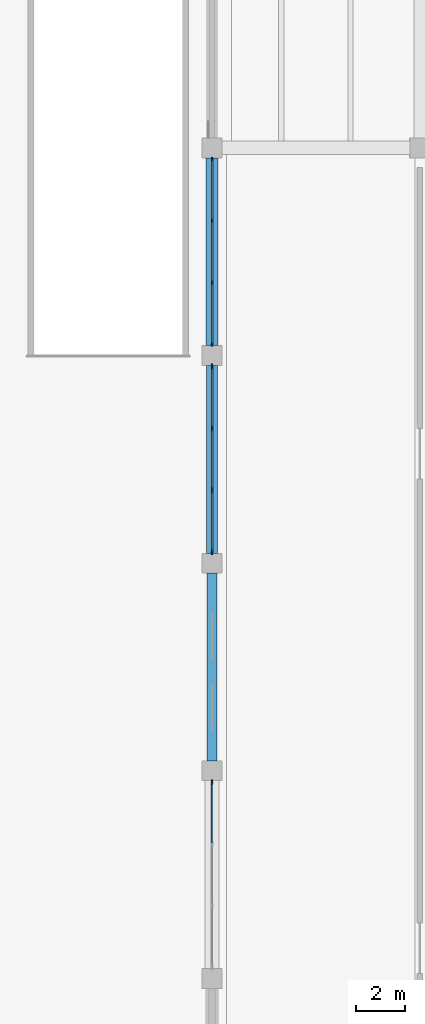
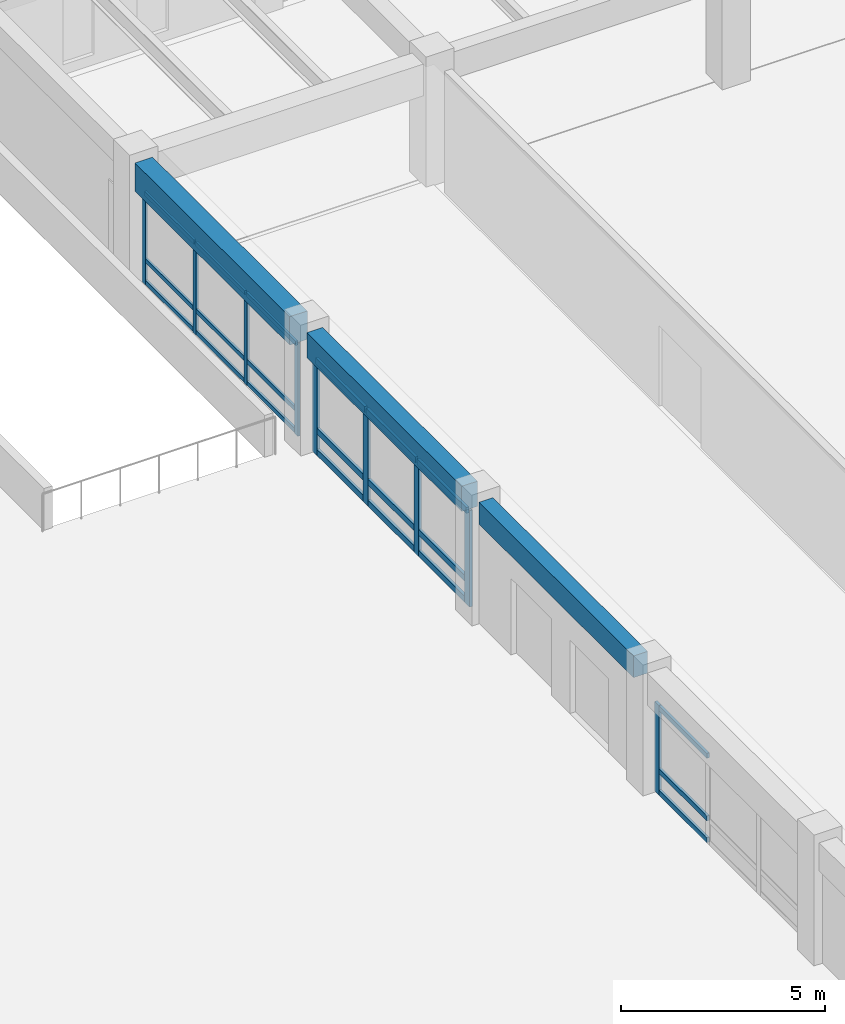
# One storey, part 54 of 135: 30 members, 3 beams, 3 elements without a shape of their own.
"""IFC4 building model written with IfcOpenShell, lengths in metres."""

from ifc_helpers import new_model, si_unit, direction, frame, origin, origin_2d, place, context, subcontext, project, spatial, rectangle, extrude, material, material_profile, profile_set, type_object, element, aggregate, save


model = new_model("IFC4")

# Units and contexts
model_context = context("Model", 3, precision=1e-05, world=origin(), true_north=direction((0.0, 1.0)))
body_context = subcontext(model_context, "Body", "Model", "MODEL_VIEW")
ifc_project = project(units=[si_unit("LENGTHUNIT", "METRE"), si_unit("AREAUNIT", "SQUARE_METRE"), si_unit("VOLUMEUNIT", "CUBIC_METRE"), si_unit("PLANEANGLEUNIT", "RADIAN"), si_unit("MASSUNIT", "GRAM", prefix="KILO")], contexts=[model_context])

# Site, building, storey
site_placement = place(None, origin())
site = spatial("IfcSite", under=ifc_project, at=site_placement, CompositionType="ELEMENT")
building_placement = place(site_placement, origin())
building = spatial("IfcBuilding", under=site, at=building_placement, Name="Cumbredor Promenade Congress Hotel", CompositionType="ELEMENT")
storey_placement = place(building_placement, origin())
storey = spatial("IfcBuildingStorey", under=building, at=storey_placement, Name="L00", CompositionType="ELEMENT", Elevation=0.0)

# Beams
ifc_material_1 = material(Name="Concrete C40/50", Category="concrete")
ifc_material_profile_1 = material_profile(ifc_material_1, rectangle(XDim=0.39990234375, YDim=0.64990234375, at=origin_2d()), Name="RC BEAM 400x650")
ifc_profile_set_1 = profile_set([ifc_material_profile_1], Name="Concrete C40/50")
beam_type_1 = type_object("IfcBeamType", Name="BM-RC-400x650", PredefinedType="BEAM", material=ifc_profile_set_1)
beam_1_placement = place(storey_placement, frame((142.800048828125, 34.0, 3.31494140625), z_axis=(0.0, 1.0, 0.0), x_axis=(-1.0, 0.0, 0.0)))
element("IfcBeam", 1, at=beam_1_placement, inside=storey, type_object=beam_type_1, Name="L01 Y-Grid Beam 218", PredefinedType="BEAM", context=body_context, shape_type="SweptSolid", body=[
    extrude(rectangle(XDim=0.39990234375, YDim=0.64990234375, at=origin_2d()), origin(), (0.0, 0.0, 1.0), 7.60009765625),
])
ifc_material_profile_2 = material_profile(ifc_material_1, rectangle(XDim=0.449951171875, YDim=0.75, at=origin_2d()), Name="RC BEAM 450x750")
ifc_profile_set_2 = profile_set([ifc_material_profile_2], Name="Concrete C40/50")
beam_type_2 = type_object("IfcBeamType", Name="BM-RC-450x750", PredefinedType="BEAM", material=ifc_profile_set_2)
beam_2_placement = place(storey_placement, frame((142.800048828125, 42.39990234375, 3.264892578125), z_axis=(0.0, 1.0, 0.0), x_axis=(-1.0, 0.0, 0.0)))
element("IfcBeam", 2, at=beam_2_placement, inside=storey, type_object=beam_type_2, Name="L01 Y-Grid Beam 219", PredefinedType="BEAM", context=body_context, shape_type="SweptSolid", body=[
    extrude(rectangle(XDim=0.449951171875, YDim=0.75, at=origin_2d()), origin(), (0.0, 0.0, 1.0), 7.60009765625),
])
ifc_material_profile_3 = material_profile(ifc_material_1, rectangle(XDim=0.5, YDim=0.85009765625, at=origin_2d()), Name="RC BEAM 500x850")
ifc_profile_set_3 = profile_set([ifc_material_profile_3], Name="Concrete C40/50")
beam_type_3 = type_object("IfcBeamType", Name="BM-RC-500x850", PredefinedType="BEAM", material=ifc_profile_set_3)
beam_3_placement = place(storey_placement, frame((142.800048828125, 50.800048828125, 3.215087890625), z_axis=(0.0, 1.0, 0.0), x_axis=(-1.0, 0.0, 0.0)))
element("IfcBeam", 3, at=beam_3_placement, inside=storey, type_object=beam_type_3, Name="L01 Y-Grid Beam 220", PredefinedType="BEAM", context=body_context, shape_type="SweptSolid", body=[
    extrude(rectangle(XDim=0.5, YDim=0.85009765625, at=origin_2d()), origin(), (0.0, 0.0, 1.0), 7.599853515625),
])

# Curtain wall, members
ifc_material_2 = material(Name="Thermally broken anodized aluminium and low-E glass", Category="aluminium")
curtain_wall_type = type_object("IfcCurtainWallType", Name="Unitised Grand Foyer Curtain Wall CW-04", PredefinedType="NOTDEFINED", material=ifc_material_2)
curtain_wall_1_placement = place(storey_placement, origin())
curtain_wall_1 = element("IfcCurtainWall", 4, at=curtain_wall_1_placement, inside=storey, type_object=curtain_wall_type, Name="L00 Grand Ballroom Pavilion West Curtain Wall 6", PredefinedType="NOTDEFINED")
ifc_material_3 = material(Name="Thermally broken anodized aluminium", Category="aluminium")
ifc_material_profile_4 = material_profile(ifc_material_3, rectangle(XDim=0.06494140625, YDim=0.159912109375, at=origin_2d()), Name="ALU MULLION 65x160")
ifc_profile_set_4 = profile_set([ifc_material_profile_4], Name="Thermally broken anodized aluminium")
member_type_1 = type_object("IfcMemberType", Name="Curtain Wall Mullion ML-01", PredefinedType="MULLION", material=ifc_profile_set_4)
member_1_placement = place(storey_placement, frame((142.800048828125, 50.85498046875, -0.008056640625), z_axis=(0.0, 0.0, 1.0), x_axis=(1.0, 0.0, 0.0)))
member_1 = element("IfcMember", 5, at=member_1_placement, type_object=member_type_1, Name="L00 Grand Ballroom Pavilion West Curtain Wall 6 Mullion 1", PredefinedType="MULLION", context=body_context, shape_type="SweptSolid", body=[
    extrude(rectangle(XDim=0.06494140625, YDim=0.159912109375, at=origin_2d()), origin(), (0.0, 0.0, 1.0), 2.791015625),
])
member_2_placement = place(storey_placement, frame((142.800048828125, 53.351806640625, -0.008056640625), z_axis=(0.0, 0.0, 1.0), x_axis=(1.0, 0.0, 0.0)))
member_2 = element("IfcMember", 6, at=member_2_placement, type_object=member_type_1, Name="L00 Grand Ballroom Pavilion West Curtain Wall 6 Mullion 2", PredefinedType="MULLION", context=body_context, shape_type="SweptSolid", body=[
    extrude(rectangle(XDim=0.06494140625, YDim=0.159912109375, at=origin_2d()), origin(), (0.0, 0.0, 1.0), 2.791015625),
])
member_3_placement = place(storey_placement, frame((142.800048828125, 55.848388671875, -0.008056640625), z_axis=(0.0, 0.0, 1.0), x_axis=(1.0, 0.0, 0.0)))
member_3 = element("IfcMember", 7, at=member_3_placement, type_object=member_type_1, Name="L00 Grand Ballroom Pavilion West Curtain Wall 6 Mullion 3", PredefinedType="MULLION", context=body_context, shape_type="SweptSolid", body=[
    extrude(rectangle(XDim=0.06494140625, YDim=0.159912109375, at=origin_2d()), origin(), (0.0, 0.0, 1.0), 2.791015625),
])
member_4_placement = place(storey_placement, frame((142.800048828125, 58.344970703125, -0.008056640625), z_axis=(0.0, 0.0, 1.0), x_axis=(1.0, 0.0, 0.0)))
member_4 = element("IfcMember", 8, at=member_4_placement, type_object=member_type_1, Name="L00 Grand Ballroom Pavilion West Curtain Wall 6 Mullion 4", PredefinedType="MULLION", context=body_context, shape_type="SweptSolid", body=[
    extrude(rectangle(XDim=0.06494140625, YDim=0.159912109375, at=origin_2d()), origin(), (0.0, 0.0, 1.0), 2.791015625),
])

# Curtain wall, member
curtain_wall_2_placement = place(storey_placement, origin())
curtain_wall_2 = element("IfcCurtainWall", 9, at=curtain_wall_2_placement, inside=storey, type_object=curtain_wall_type, Name="L00 Grand Ballroom Pavilion West Curtain Wall 3", PredefinedType="NOTDEFINED")
ifc_material_profile_5 = material_profile(ifc_material_3, rectangle(XDim=0.074951171875, YDim=0.199951171875, at=origin_2d()), Name="ALU MULLION 75x200")
ifc_profile_set_5 = profile_set([ifc_material_profile_5], Name="Thermally broken anodized aluminium")
member_type_2 = type_object("IfcMemberType", Name="Curtain Wall Mullion ML-02", PredefinedType="MULLION", material=ifc_profile_set_5)
member_5_placement = place(storey_placement, frame((142.800048828125, 33.14501953125, -0.008056640625), z_axis=(0.0, 0.0, 1.0), x_axis=(1.0, 0.0, 0.0)))
member_5 = element("IfcMember", 10, at=member_5_placement, type_object=member_type_2, Name="L00 Grand Ballroom Pavilion West Curtain Wall 3 Mullion 4", PredefinedType="MULLION", context=body_context, shape_type="SweptSolid", body=[
    extrude(rectangle(XDim=0.074951171875, YDim=0.199951171875, at=origin_2d()), origin(), (0.0, 0.0, 1.0), 2.691162109375),
])

# Curtain wall, members
curtain_wall_3_placement = place(storey_placement, origin())
curtain_wall_3 = element("IfcCurtainWall", 11, at=curtain_wall_3_placement, inside=storey, type_object=curtain_wall_type, Name="L00 Grand Ballroom Pavilion West Curtain Wall 5", PredefinedType="NOTDEFINED")
ifc_material_profile_6 = material_profile(ifc_material_3, rectangle(XDim=0.080078125, YDim=0.239990234375, at=origin_2d()), Name="ALU MULLION 80x240")
ifc_profile_set_6 = profile_set([ifc_material_profile_6], Name="Thermally broken anodized aluminium")
member_type_3 = type_object("IfcMemberType", Name="Curtain Wall Mullion ML-03", PredefinedType="MULLION", material=ifc_profile_set_6)
member_6_placement = place(storey_placement, frame((142.800048828125, 42.455078125, -0.008056640625), z_axis=(0.0, 0.0, 1.0), x_axis=(1.0, 0.0, 0.0)))
member_6 = element("IfcMember", 12, at=member_6_placement, type_object=member_type_3, Name="L00 Grand Ballroom Pavilion West Curtain Wall 5 Mullion 1", PredefinedType="MULLION", context=body_context, shape_type="SweptSolid", body=[
    extrude(rectangle(XDim=0.080078125, YDim=0.239990234375, at=origin_2d()), origin(), (0.0, 0.0, 1.0), 2.89111328125),
])
member_7_placement = place(storey_placement, frame((142.800048828125, 44.95166015625, -0.008056640625), z_axis=(0.0, 0.0, 1.0), x_axis=(1.0, 0.0, 0.0)))
member_7 = element("IfcMember", 13, at=member_7_placement, type_object=member_type_3, Name="L00 Grand Ballroom Pavilion West Curtain Wall 5 Mullion 2", PredefinedType="MULLION", context=body_context, shape_type="SweptSolid", body=[
    extrude(rectangle(XDim=0.080078125, YDim=0.239990234375, at=origin_2d()), origin(), (0.0, 0.0, 1.0), 2.89111328125),
])
member_8_placement = place(storey_placement, frame((142.800048828125, 47.4482421875, -0.008056640625), z_axis=(0.0, 0.0, 1.0), x_axis=(1.0, 0.0, 0.0)))
member_8 = element("IfcMember", 14, at=member_8_placement, type_object=member_type_3, Name="L00 Grand Ballroom Pavilion West Curtain Wall 5 Mullion 3", PredefinedType="MULLION", context=body_context, shape_type="SweptSolid", body=[
    extrude(rectangle(XDim=0.080078125, YDim=0.239990234375, at=origin_2d()), origin(), (0.0, 0.0, 1.0), 2.89111328125),
])
member_9_placement = place(storey_placement, frame((142.800048828125, 49.945068359375, -0.008056640625), z_axis=(0.0, 0.0, 1.0), x_axis=(1.0, 0.0, 0.0)))
member_9 = element("IfcMember", 15, at=member_9_placement, type_object=member_type_3, Name="L00 Grand Ballroom Pavilion West Curtain Wall 5 Mullion 4", PredefinedType="MULLION", context=body_context, shape_type="SweptSolid", body=[
    extrude(rectangle(XDim=0.080078125, YDim=0.239990234375, at=origin_2d()), origin(), (0.0, 0.0, 1.0), 2.89111328125),
])

# Member
ifc_material_profile_7 = material_profile(ifc_material_3, rectangle(XDim=0.06494140625, YDim=0.1298828125, at=origin_2d()), Name="ALU TRANSOM 65x130")
ifc_profile_set_7 = profile_set([ifc_material_profile_7], Name="Thermally broken anodized aluminium")
member_type_4 = type_object("IfcMemberType", Name="Curtain Wall Transom TR-01", PredefinedType="USERDEFINED", material=ifc_profile_set_7)
member_10_placement = place(storey_placement, frame((142.800048828125, 50.887451171875, 0.070068359375), z_axis=(0.0, 1.0, 0.0), x_axis=(-1.0, 0.0, 0.0)))
member_10 = element("IfcMember", 16, at=member_10_placement, type_object=member_type_4, Name="L00 Grand Ballroom Pavilion West Curtain Wall 6 Transom 1.1", ObjectType="TRANSOM", PredefinedType="USERDEFINED", context=body_context, shape_type="SweptSolid", body=[
    extrude(rectangle(XDim=0.06494140625, YDim=0.1298828125, at=origin_2d()), origin(), (0.0, 0.0, 1.0), 2.431640625),
])

member_11_placement = place(storey_placement, frame((142.800048828125, 50.887451171875, 0.719970703125), z_axis=(0.0, 1.0, 0.0), x_axis=(-1.0, 0.0, 0.0)))
member_11 = element("IfcMember", 17, at=member_11_placement, type_object=member_type_4, Name="L00 Grand Ballroom Pavilion West Curtain Wall 6 Transom 1.2", ObjectType="TRANSOM", PredefinedType="USERDEFINED", context=body_context, shape_type="SweptSolid", body=[
    extrude(rectangle(XDim=0.06494140625, YDim=0.1298828125, at=origin_2d()), origin(), (0.0, 0.0, 1.0), 2.431640625),
])

member_12_placement = place(storey_placement, frame((142.800048828125, 50.887451171875, 2.7099609375), z_axis=(0.0, 1.0, 0.0), x_axis=(-1.0, 0.0, 0.0)))
member_12 = element("IfcMember", 18, at=member_12_placement, type_object=member_type_4, Name="L00 Grand Ballroom Pavilion West Curtain Wall 6 Transom 1.3", ObjectType="TRANSOM", PredefinedType="USERDEFINED", context=body_context, shape_type="SweptSolid", body=[
    extrude(rectangle(XDim=0.06494140625, YDim=0.1298828125, at=origin_2d()), origin(), (0.0, 0.0, 1.0), 2.431640625),
])

member_13_placement = place(storey_placement, frame((142.800048828125, 53.38427734375, 0.070068359375), z_axis=(0.0, 1.0, 0.0), x_axis=(-1.0, 0.0, 0.0)))
member_13 = element("IfcMember", 19, at=member_13_placement, type_object=member_type_4, Name="L00 Grand Ballroom Pavilion West Curtain Wall 6 Transom 2.1", ObjectType="TRANSOM", PredefinedType="USERDEFINED", context=body_context, shape_type="SweptSolid", body=[
    extrude(rectangle(XDim=0.06494140625, YDim=0.1298828125, at=origin_2d()), origin(), (0.0, 0.0, 1.0), 2.431640625),
])

member_14_placement = place(storey_placement, frame((142.800048828125, 53.38427734375, 0.719970703125), z_axis=(0.0, 1.0, 0.0), x_axis=(-1.0, 0.0, 0.0)))
member_14 = element("IfcMember", 20, at=member_14_placement, type_object=member_type_4, Name="L00 Grand Ballroom Pavilion West Curtain Wall 6 Transom 2.2", ObjectType="TRANSOM", PredefinedType="USERDEFINED", context=body_context, shape_type="SweptSolid", body=[
    extrude(rectangle(XDim=0.06494140625, YDim=0.1298828125, at=origin_2d()), origin(), (0.0, 0.0, 1.0), 2.431640625),
])

member_15_placement = place(storey_placement, frame((142.800048828125, 53.38427734375, 2.7099609375), z_axis=(0.0, 1.0, 0.0), x_axis=(-1.0, 0.0, 0.0)))
member_15 = element("IfcMember", 21, at=member_15_placement, type_object=member_type_4, Name="L00 Grand Ballroom Pavilion West Curtain Wall 6 Transom 2.3", ObjectType="TRANSOM", PredefinedType="USERDEFINED", context=body_context, shape_type="SweptSolid", body=[
    extrude(rectangle(XDim=0.06494140625, YDim=0.1298828125, at=origin_2d()), origin(), (0.0, 0.0, 1.0), 2.431640625),
])

member_16_placement = place(storey_placement, frame((142.800048828125, 55.880859375, 0.070068359375), z_axis=(0.0, 1.0, 0.0), x_axis=(-1.0, 0.0, 0.0)))
member_16 = element("IfcMember", 22, at=member_16_placement, type_object=member_type_4, Name="L00 Grand Ballroom Pavilion West Curtain Wall 6 Transom 3.1", ObjectType="TRANSOM", PredefinedType="USERDEFINED", context=body_context, shape_type="SweptSolid", body=[
    extrude(rectangle(XDim=0.06494140625, YDim=0.1298828125, at=origin_2d()), origin(), (0.0, 0.0, 1.0), 2.431640625),
])

member_17_placement = place(storey_placement, frame((142.800048828125, 55.880859375, 0.719970703125), z_axis=(0.0, 1.0, 0.0), x_axis=(-1.0, 0.0, 0.0)))
member_17 = element("IfcMember", 23, at=member_17_placement, type_object=member_type_4, Name="L00 Grand Ballroom Pavilion West Curtain Wall 6 Transom 3.2", ObjectType="TRANSOM", PredefinedType="USERDEFINED", context=body_context, shape_type="SweptSolid", body=[
    extrude(rectangle(XDim=0.06494140625, YDim=0.1298828125, at=origin_2d()), origin(), (0.0, 0.0, 1.0), 2.431640625),
])

member_18_placement = place(storey_placement, frame((142.800048828125, 55.880859375, 2.7099609375), z_axis=(0.0, 1.0, 0.0), x_axis=(-1.0, 0.0, 0.0)))
member_18 = element("IfcMember", 24, at=member_18_placement, type_object=member_type_4, Name="L00 Grand Ballroom Pavilion West Curtain Wall 6 Transom 3.3", ObjectType="TRANSOM", PredefinedType="USERDEFINED", context=body_context, shape_type="SweptSolid", body=[
    extrude(rectangle(XDim=0.06494140625, YDim=0.1298828125, at=origin_2d()), origin(), (0.0, 0.0, 1.0), 2.431640625),
])

aggregate(curtain_wall_1, [member_1, member_2, member_3, member_4, member_10, member_11, member_12, member_13, member_14, member_15, member_16, member_17, member_18])

ifc_material_profile_8 = material_profile(ifc_material_3, rectangle(XDim=0.074951171875, YDim=0.14990234375, at=origin_2d()), Name="ALU TRANSOM 75x150")
ifc_profile_set_8 = profile_set([ifc_material_profile_8], Name="Thermally broken anodized aluminium")
member_type_5 = type_object("IfcMemberType", Name="Curtain Wall Transom TR-02", PredefinedType="USERDEFINED", material=ifc_profile_set_8)
member_19_placement = place(storey_placement, frame((142.800048828125, 30.685791015625, 0.070068359375), z_axis=(0.0, 1.0, 0.0), x_axis=(-1.0, 0.0, 0.0)))
member_19 = element("IfcMember", 25, at=member_19_placement, type_object=member_type_5, Name="L00 Grand Ballroom Pavilion West Curtain Wall 3 Transom 3.1", ObjectType="TRANSOM", PredefinedType="USERDEFINED", context=body_context, shape_type="SweptSolid", body=[
    extrude(rectangle(XDim=0.074951171875, YDim=0.14990234375, at=origin_2d()), origin(), (0.0, 0.0, 1.0), 2.421630859375),
])

member_20_placement = place(storey_placement, frame((142.800048828125, 30.685791015625, 0.719970703125), z_axis=(0.0, 1.0, 0.0), x_axis=(-1.0, 0.0, 0.0)))
member_20 = element("IfcMember", 26, at=member_20_placement, type_object=member_type_5, Name="L00 Grand Ballroom Pavilion West Curtain Wall 3 Transom 3.2", ObjectType="TRANSOM", PredefinedType="USERDEFINED", context=body_context, shape_type="SweptSolid", body=[
    extrude(rectangle(XDim=0.074951171875, YDim=0.14990234375, at=origin_2d()), origin(), (0.0, 0.0, 1.0), 2.421630859375),
])

member_21_placement = place(storey_placement, frame((142.800048828125, 30.685791015625, 2.60009765625), z_axis=(0.0, 1.0, 0.0), x_axis=(-1.0, 0.0, 0.0)))
member_21 = element("IfcMember", 27, at=member_21_placement, type_object=member_type_5, Name="L00 Grand Ballroom Pavilion West Curtain Wall 3 Transom 3.3", ObjectType="TRANSOM", PredefinedType="USERDEFINED", context=body_context, shape_type="SweptSolid", body=[
    extrude(rectangle(XDim=0.074951171875, YDim=0.14990234375, at=origin_2d()), origin(), (0.0, 0.0, 1.0), 2.421630859375),
])

aggregate(curtain_wall_2, [member_5, member_19, member_20, member_21])

ifc_material_profile_9 = material_profile(ifc_material_3, rectangle(XDim=0.080078125, YDim=0.179931640625, at=origin_2d()), Name="ALU TRANSOM 80x180")
ifc_profile_set_9 = profile_set([ifc_material_profile_9], Name="Thermally broken anodized aluminium")
member_type_6 = type_object("IfcMemberType", Name="Curtain Wall Transom TR-03", PredefinedType="USERDEFINED", material=ifc_profile_set_9)
member_22_placement = place(storey_placement, frame((142.800048828125, 42.4951171875, 0.090087890625), z_axis=(0.0, 1.0, 0.0), x_axis=(-1.0, 0.0, 0.0)))
member_22 = element("IfcMember", 28, at=member_22_placement, type_object=member_type_6, Name="L00 Grand Ballroom Pavilion West Curtain Wall 5 Transom 1.1", ObjectType="TRANSOM", PredefinedType="USERDEFINED", context=body_context, shape_type="SweptSolid", body=[
    extrude(rectangle(XDim=0.080078125, YDim=0.179931640625, at=origin_2d()), origin(), (0.0, 0.0, 1.0), 2.41650390625),
])

member_23_placement = place(storey_placement, frame((142.800048828125, 42.4951171875, 0.719970703125), z_axis=(0.0, 1.0, 0.0), x_axis=(-1.0, 0.0, 0.0)))
member_23 = element("IfcMember", 29, at=member_23_placement, type_object=member_type_6, Name="L00 Grand Ballroom Pavilion West Curtain Wall 5 Transom 1.2", ObjectType="TRANSOM", PredefinedType="USERDEFINED", context=body_context, shape_type="SweptSolid", body=[
    extrude(rectangle(XDim=0.080078125, YDim=0.179931640625, at=origin_2d()), origin(), (0.0, 0.0, 1.0), 2.41650390625),
])

member_24_placement = place(storey_placement, frame((142.800048828125, 42.4951171875, 2.7900390625), z_axis=(0.0, 1.0, 0.0), x_axis=(-1.0, 0.0, 0.0)))
member_24 = element("IfcMember", 30, at=member_24_placement, type_object=member_type_6, Name="L00 Grand Ballroom Pavilion West Curtain Wall 5 Transom 1.3", ObjectType="TRANSOM", PredefinedType="USERDEFINED", context=body_context, shape_type="SweptSolid", body=[
    extrude(rectangle(XDim=0.080078125, YDim=0.179931640625, at=origin_2d()), origin(), (0.0, 0.0, 1.0), 2.41650390625),
])

member_25_placement = place(storey_placement, frame((142.800048828125, 44.99169921875, 0.090087890625), z_axis=(0.0, 1.0, 0.0), x_axis=(-1.0, 0.0, 0.0)))
member_25 = element("IfcMember", 31, at=member_25_placement, type_object=member_type_6, Name="L00 Grand Ballroom Pavilion West Curtain Wall 5 Transom 2.1", ObjectType="TRANSOM", PredefinedType="USERDEFINED", context=body_context, shape_type="SweptSolid", body=[
    extrude(rectangle(XDim=0.080078125, YDim=0.179931640625, at=origin_2d()), origin(), (0.0, 0.0, 1.0), 2.41650390625),
])

member_26_placement = place(storey_placement, frame((142.800048828125, 44.99169921875, 0.719970703125), z_axis=(0.0, 1.0, 0.0), x_axis=(-1.0, 0.0, 0.0)))
member_26 = element("IfcMember", 32, at=member_26_placement, type_object=member_type_6, Name="L00 Grand Ballroom Pavilion West Curtain Wall 5 Transom 2.2", ObjectType="TRANSOM", PredefinedType="USERDEFINED", context=body_context, shape_type="SweptSolid", body=[
    extrude(rectangle(XDim=0.080078125, YDim=0.179931640625, at=origin_2d()), origin(), (0.0, 0.0, 1.0), 2.41650390625),
])

member_27_placement = place(storey_placement, frame((142.800048828125, 44.99169921875, 2.7900390625), z_axis=(0.0, 1.0, 0.0), x_axis=(-1.0, 0.0, 0.0)))
member_27 = element("IfcMember", 33, at=member_27_placement, type_object=member_type_6, Name="L00 Grand Ballroom Pavilion West Curtain Wall 5 Transom 2.3", ObjectType="TRANSOM", PredefinedType="USERDEFINED", context=body_context, shape_type="SweptSolid", body=[
    extrude(rectangle(XDim=0.080078125, YDim=0.179931640625, at=origin_2d()), origin(), (0.0, 0.0, 1.0), 2.41650390625),
])

member_28_placement = place(storey_placement, frame((142.800048828125, 47.48828125, 0.090087890625), z_axis=(0.0, 1.0, 0.0), x_axis=(-1.0, 0.0, 0.0)))
member_28 = element("IfcMember", 34, at=member_28_placement, type_object=member_type_6, Name="L00 Grand Ballroom Pavilion West Curtain Wall 5 Transom 3.1", ObjectType="TRANSOM", PredefinedType="USERDEFINED", context=body_context, shape_type="SweptSolid", body=[
    extrude(rectangle(XDim=0.080078125, YDim=0.179931640625, at=origin_2d()), origin(), (0.0, 0.0, 1.0), 2.416748046875),
])

member_29_placement = place(storey_placement, frame((142.800048828125, 47.48828125, 0.719970703125), z_axis=(0.0, 1.0, 0.0), x_axis=(-1.0, 0.0, 0.0)))
member_29 = element("IfcMember", 35, at=member_29_placement, type_object=member_type_6, Name="L00 Grand Ballroom Pavilion West Curtain Wall 5 Transom 3.2", ObjectType="TRANSOM", PredefinedType="USERDEFINED", context=body_context, shape_type="SweptSolid", body=[
    extrude(rectangle(XDim=0.080078125, YDim=0.179931640625, at=origin_2d()), origin(), (0.0, 0.0, 1.0), 2.416748046875),
])

member_30_placement = place(storey_placement, frame((142.800048828125, 47.48828125, 2.7900390625), z_axis=(0.0, 1.0, 0.0), x_axis=(-1.0, 0.0, 0.0)))
member_30 = element("IfcMember", 36, at=member_30_placement, type_object=member_type_6, Name="L00 Grand Ballroom Pavilion West Curtain Wall 5 Transom 3.3", ObjectType="TRANSOM", PredefinedType="USERDEFINED", context=body_context, shape_type="SweptSolid", body=[
    extrude(rectangle(XDim=0.080078125, YDim=0.179931640625, at=origin_2d()), origin(), (0.0, 0.0, 1.0), 2.416748046875),
])

aggregate(curtain_wall_3, [member_6, member_7, member_8, member_9, member_22, member_23, member_24, member_25, member_26, member_27, member_28, member_29, member_30])

save(model, "model.ifc")
